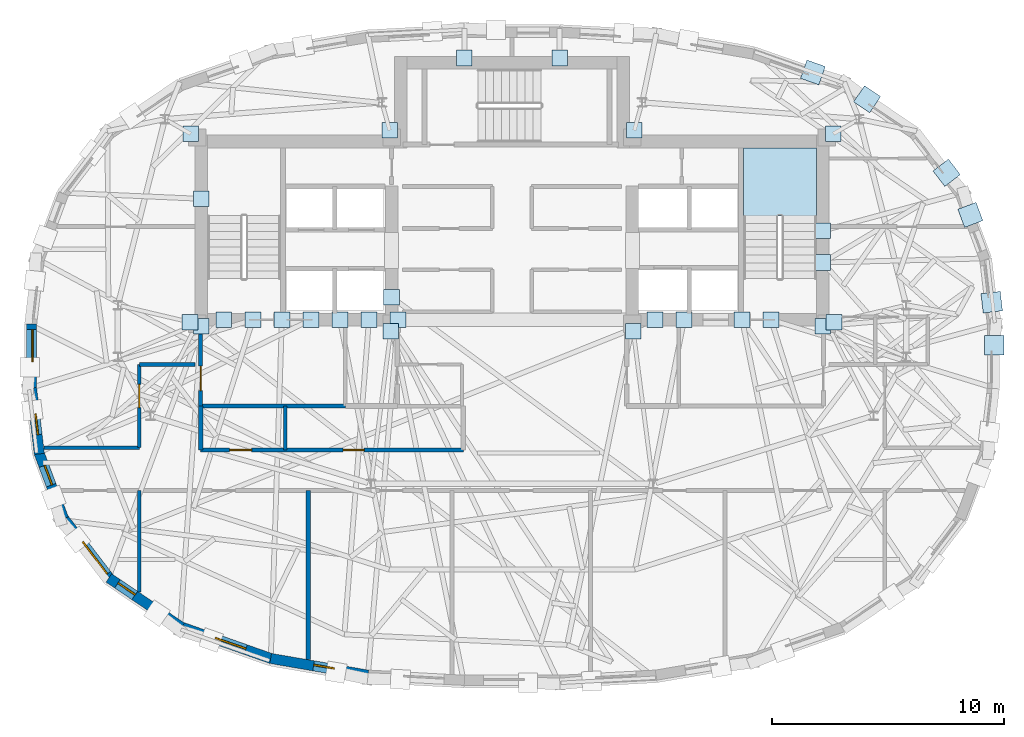
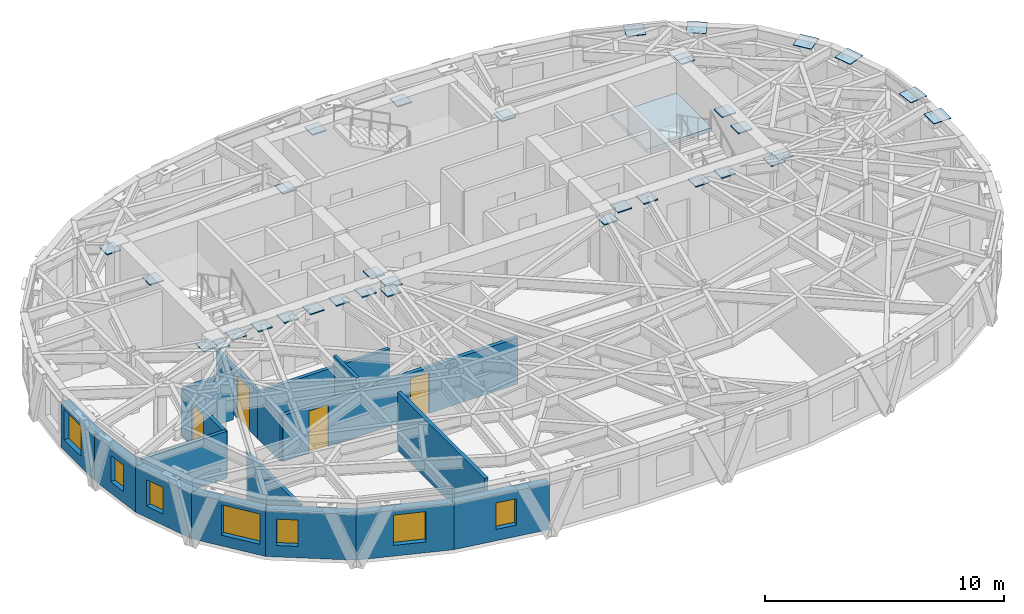
# One storey, part 5 of 12: 33 plates, 17 walls, 7 windows, 4 doors, 1 slab, 11 openings, 1 element without a shape of its own.
"""IFC4 building model written with IfcOpenShell, lengths in metres."""

from ifc_helpers import new_model, si_unit, direction, frame, frame_2d, origin, origin_2d, place, context, subcontext, project, spatial, polyline, rectangle, outline, extrude, material, layer, layer_set, type_object, element, fill, aggregate, save


model = new_model("IFC4")

# Units and contexts
model_context = context("Model", 3, precision=1e-05, world=origin(), true_north=direction((0.0, 1.0)))
body_context = subcontext(model_context, "Body", "Model", "MODEL_VIEW")
ifc_project = project(units=[si_unit("LENGTHUNIT", "METRE"), si_unit("AREAUNIT", "SQUARE_METRE"), si_unit("VOLUMEUNIT", "CUBIC_METRE"), si_unit("PLANEANGLEUNIT", "RADIAN"), si_unit("MASSUNIT", "GRAM", prefix="KILO")], contexts=[model_context])

# Site, building, storey
site_placement = place(None, origin())
site = spatial("IfcSite", under=ifc_project, at=site_placement, CompositionType="ELEMENT")
building_placement = place(site_placement, origin())
building = spatial("IfcBuilding", under=site, at=building_placement, Name="Keldmark Tower", CompositionType="ELEMENT")
storey_placement = place(building_placement, frame((0.0, 0.0, 254.10009765625)))
storey = spatial("IfcBuildingStorey", under=building, at=storey_placement, Name="L72", CompositionType="ELEMENT", Elevation=254.10009765625)

# Plates
ifc_material_1 = material(Name="Steel ASTM A572 Grade 50", Category="steel")
ifc_layer_1 = layer(ifc_material_1, 0.06005859375)
ifc_layer_set_1 = layer_set([ifc_layer_1], Name="Steel ASTM A572 Grade 50")
plate_type_1 = type_object("IfcPlateType", Name="Belt Truss Kink Node Assembly KN01 60 mm", PredefinedType="USERDEFINED", material=ifc_layer_set_1)
for number, where, z_axis, x_axis, name in (
    (1, (13.91162109375, 1.473388671875, 2.677734375), (0.0, 0.0, 1.0), (1.0, 0.0, 0.0), "L72 Core Wall Cast-In Embed Plate 2084"),
    (2, (13.878173828125, 9.608154296875, 2.677734375), (0.0, 0.0, 1.0), (1.0, 0.0, 0.0), "L72 Core Wall Cast-In Embed Plate 2085"),
    (3, (5.28515625, 9.758544921875, 2.677734375), (0.0, 0.0, 1.0), (1.0, 0.0, 0.0), "L72 Core Wall Cast-In Embed Plate 2086"),
    (4, (-5.28515625, 9.758544921875, 2.677734375), (0.0, 0.0, 1.0), (1.0, 0.0, 0.0), "L72 Core Wall Cast-In Embed Plate 2087"),
    (5, (-13.878173828125, 9.608154296875, 2.677734375), (0.0, 0.0, 1.0), (1.0, 0.0, 0.0), "L72 Core Wall Cast-In Embed Plate 2088"),
    (6, (-13.91162109375, 1.473388671875, 2.677734375), (0.0, 0.0, 1.0), (1.0, 0.0, 0.0), "L72 Core Wall Cast-In Embed Plate 2089"),
    (7, (-5.24072265625, 1.08251953125, 2.677734375), (0.0, 0.0, 1.0), (1.0, 0.0, 0.0), "L72 Core Wall Cast-In Embed Plate 2090"),
    (8, (5.24072265625, 1.08251953125, 2.677734375), (0.0, 0.0, 1.0), (1.0, 0.0, 0.0), "L72 Core Wall Cast-In Embed Plate 2091"),
    (9, (2.0576171875, 12.8798828125, 2.673828125), (0.0, 0.0, 1.0), (1.0, 0.0, 0.0), "L72 Core Wall Cast-In Embed Plate 2092"),
    (10, (-2.0576171875, 12.8798828125, 2.673828125), (0.0, 0.0, 1.0), (1.0, 0.0, 0.0), "L72 Core Wall Cast-In Embed Plate 2093"),
    (11, (-11.19287109375, 1.574951171875, 2.673828125), (0.0, 0.0, 1.0), (1.0, 0.0, 0.0), "L72 Core Wall Cast-In Embed Plate 2094"),
    (12, (-7.43212890625, 1.574951171875, 2.673828125), (0.0, 0.0, 1.0), (1.0, 0.0, 0.0), "L72 Core Wall Cast-In Embed Plate 2095"),
    (13, (7.43212890625, 1.574951171875, 2.673828125), (0.0, 0.0, 1.0), (1.0, 0.0, 0.0), "L72 Core Wall Cast-In Embed Plate 2096"),
    (14, (11.19287109375, 1.574951171875, 2.673828125), (0.0, 0.0, 1.0), (1.0, 0.0, 0.0), "L72 Core Wall Cast-In Embed Plate 2097"),
    (15, (6.1787109375, 1.574951171875, 2.673828125), (0.0, 0.0, 1.0), (1.0, 0.0, 0.0), "L72 Core Wall Cast-In Embed Plate 2098"),
    (16, (-6.1787109375, 1.574951171875, 2.673828125), (0.0, 0.0, 1.0), (1.0, 0.0, 0.0), "L72 Core Wall Cast-In Embed Plate 2099"),
    (17, (9.939208984375, 1.574951171875, 2.673828125), (0.0, 0.0, 1.0), (1.0, 0.0, 0.0), "L72 Core Wall Cast-In Embed Plate 2100"),
    (18, (13.425048828125, 4.050048828125, 2.673828125), (0.0, 0.0, 1.0), (1.0, 0.0, 0.0), "L72 Core Wall Cast-In Embed Plate 2101"),
    (19, (13.425048828125, 1.300048828125, 2.673828125), (0.0, 0.0, 1.0), (1.0, 0.0, 0.0), "L72 Core Wall Cast-In Embed Plate 2102"),
    (20, (13.425048828125, 5.425048828125, 2.673828125), (0.0, 0.0, 1.0), (1.0, 0.0, 0.0), "L72 Core Wall Cast-In Embed Plate 2103"),
    (21, (-12.4462890625, 1.574951171875, 2.673828125), (0.0, 0.0, 1.0), (1.0, 0.0, 0.0), "L72 Core Wall Cast-In Embed Plate 2104"),
    (22, (-8.685791015625, 1.574951171875, 2.673828125), (0.0, 0.0, 1.0), (1.0, 0.0, 0.0), "L72 Core Wall Cast-In Embed Plate 2105"),
    (23, (-13.425048828125, 1.300048828125, 2.673828125), (0.0, 0.0, 1.0), (1.0, 0.0, 0.0), "L72 Core Wall Cast-In Embed Plate 2106"),
    (24, (-9.939208984375, 1.574951171875, 2.673828125), (0.0, 0.0, 1.0), (1.0, 0.0, 0.0), "L72 Core Wall Cast-In Embed Plate 2107"),
    (25, (-4.925048828125, 1.574951171875, 2.673828125), (0.0, 0.0, 1.0), (1.0, 0.0, 0.0), "L72 Core Wall Cast-In Embed Plate 2108"),
    (26, (-5.199951171875, 2.550048828125, 2.673828125), (0.0, 0.0, 1.0), (1.0, 0.0, 0.0), "L72 Core Wall Cast-In Embed Plate 2109"),
    (27, (-13.425048828125, 6.800048828125, 2.673828125), (0.0, 0.0, 1.0), (1.0, 0.0, 0.0), "L72 Core Wall Cast-In Embed Plate 2110"),
):
    element("IfcPlate", number, at=place(storey_placement, frame(where, z_axis=z_axis, x_axis=x_axis)), inside=storey, type_object=plate_type_1, Name=name, ObjectType="CAP PLATE", PredefinedType="USERDEFINED", context=body_context, shape_type="SweptSolid", body=[
        extrude(rectangle(XDim=0.679931640625, YDim=0.679931640625, at=origin_2d()), origin(), (0.0, 0.0, 1.0), 0.054931640625),
    ])
ifc_material_2 = material(Name="Steel ASTM A572 Grade 50", Category="steel")
ifc_layer_2 = layer(ifc_material_2, 0.034912109375)
ifc_layer_set_2 = layer_set([ifc_layer_2], Name="Steel ASTM A572 Grade 50")
plate_type_2 = type_object("IfcPlateType", Name="Diagrid Node Assembly DN06 35 mm", PredefinedType="USERDEFINED", material=ifc_layer_set_2)
for number, where, z_axis, x_axis, name in (
    (28, (20.7216796875, 2.333740234375, 2.83251953125), (0.0, 0.0, 1.0), (-0.1168440763, 0.993150271527, 0.0), "L72 Diagrid Node Assembly 01"),
    (29, (19.798095703125, 6.10400390625, 2.83251953125), (0.0, 0.0, 1.0), (-0.349716892865, 0.936855428999, 0.0), "L72 Diagrid Node Assembly 02"),
    (30, (18.7744140625, 7.924560546875, 2.83251953125), (0.0, 0.0, 1.0), (-0.607237178966, 0.794520615517, 0.0), "L72 Diagrid Node Assembly 03"),
    (31, (15.33984375, 11.101806640625, 2.83251953125), (0.0, 0.0, 1.0), (-0.827668733006, 0.561216953062, 0.0), "L72 Diagrid Node Assembly 04"),
    (32, (12.997802734375, 12.260009765625, 2.83251953125), (0.0, 0.0, 1.0), (-0.943454320287, 0.331502557353, 0.0), "L72 Diagrid Node Assembly 05"),
    (33, (20.832275390625, 0.470947265625, 2.83251953125), (0.0, 0.0, 1.0), (0.0, 1.0, 0.0), "L72 Diagrid Node Assembly 32"),
):
    element("IfcPlate", number, at=place(storey_placement, frame(where, z_axis=z_axis, x_axis=x_axis)), inside=storey, type_object=plate_type_2, Name=name, ObjectType="GUSSET", PredefinedType="USERDEFINED", context=body_context, shape_type="SweptSolid", body=[
        extrude(rectangle(XDim=0.840087890625, YDim=0.840087890625, at=origin_2d()), origin(), (0.0, 0.0, 1.0), 0.034912109375),
    ])

# Stair, slab
ifc_material_3 = material(Name="Concrete C40/50", Category="concrete")
stair_type = type_object("IfcStairType", Name="Precast Concrete Core Exit Stair", PredefinedType="HALF_TURN_STAIR", material=ifc_material_3)
stair_placement = place(storey_placement, origin())
stair = element("IfcStair", 34, at=stair_placement, inside=storey, type_object=stair_type, Name="L72 Exit Stair ST2", PredefinedType="HALF_TURN_STAIR")
ifc_material_4 = material(Name="Concrete C40/50", Category="concrete")
ifc_layer_3 = layer(ifc_material_4, 0.199951171875)
ifc_layer_set_3 = layer_set([ifc_layer_3], Name="Concrete C40/50")
slab_type = type_object("IfcSlabType", Name="Reinforced Concrete Stair Landing 200 mm", PredefinedType="LANDING", material=ifc_layer_set_3)
slab_placement = place(storey_placement, frame((0.0, 0.0, 1.375)))
slab = element("IfcSlab", 35, at=slab_placement, type_object=slab_type, Name="ST2 landing 1", PredefinedType="LANDING", context=body_context, shape_type="SweptSolid", body=[
    extrude(outline(polyline([(13.14990234375, 6.050048828125), (13.14990234375, 9.0), (10.0, 9.0), (10.0, 6.050048828125), (13.14990234375, 6.050048828125)])), origin(), (0.0, 0.0, 1.0), 0.199951171875),
])
aggregate(stair, [slab])

# Wall
ifc_material_5 = material(Name="STC-58 Insulated Tenant Demising Gypsum Partition", Category="gypsum")
ifc_layer_4 = layer(ifc_material_5, 0.175048828125)
ifc_layer_set_4 = layer_set([ifc_layer_4], Name="STC-58 Insulated Tenant Demising Gypsum Partition")
wall_type_1 = type_object("IfcWallType", Name="Demising Suite Partition 175 mm", PredefinedType="PARTITIONING", material=ifc_layer_set_4)
wall_1_placement = place(storey_placement, frame((-8.800048828125, -13.101806640625, 0.0), z_axis=(0.0, 0.0, 1.0), x_axis=(0.0, 1.0, 0.0)))
element("IfcWall", 36, at=wall_1_placement, inside=storey, type_object=wall_type_1, Name="L72 Demising Suite Partition 175 mm RS-T5-D1", PredefinedType="PARTITIONING", context=body_context, shape_type="SweptSolid", body=[
    extrude(rectangle(XDim=7.3017578125, YDim=0.175048828125, at=frame_2d((3.65087890625, 0.0))), origin(), (0.0, 0.0, 1.0), 2.969970703125),
])

# Wall, openings, doors
ifc_material_6 = material(Name="Heavy Acoustic Plumbing Chase Gypsum Assembly", Category="gypsum")
ifc_layer_5 = layer(ifc_material_6, 0.18994140625)
ifc_layer_set_5 = layer_set([ifc_layer_5], Name="Heavy Acoustic Plumbing Chase Gypsum Assembly")
wall_type_2 = type_object("IfcWallType", Name="Heavy Wet Wall 190 mm", PredefinedType="PLUMBINGWALL", material=ifc_layer_set_5)
wall_2_placement = place(storey_placement, frame((-13.449951171875, -4.050048828125, 0.0), z_axis=(0.0, 0.0, 1.0), x_axis=(1.0, 0.0, 0.0)))
wall_2 = element("IfcWall", 37, at=wall_2_placement, inside=storey, type_object=wall_type_2, Name="L72 Heavy Wet Wall 190 mm SPK-W-S", PredefinedType="PLUMBINGWALL", context=body_context, shape_type="SweptSolid", body=[
    extrude(rectangle(XDim=11.349853515625, YDim=0.18994140625, at=frame_2d((5.6748046875, 0.0))), origin(), (0.0, 0.0, 1.0), 2.35693359375),
])
opening_1_placement = place(wall_2_placement, frame((1.25, 0.0, 0.0)))
opening_1 = element("IfcOpeningElement", 38, at=opening_1_placement, cuts=wall_2, Name="Opening D-AWC95", PredefinedType="OPENING", context=body_context, shape_type="SweptSolid", body=[
    extrude(rectangle(XDim=0.949951171875, YDim=2.14990234375, at=frame_2d((0.47509765625, 1.074951171875))), frame((0.0, 0.10498046875, 0.0), z_axis=(0.0, -1.0, 0.0), x_axis=(1.0, 0.0, 0.0)), (0.0, 0.0, 1.0), 0.2099609375),
])
opening_2_placement = place(wall_2_placement, frame((6.159912109375, 0.0, 0.0)))
opening_2 = element("IfcOpeningElement", 39, at=opening_2_placement, cuts=wall_2, Name="Opening D-IN090", PredefinedType="OPENING", context=body_context, shape_type="SweptSolid", body=[
    extrude(rectangle(XDim=0.89990234375, YDim=2.10009765625, at=frame_2d((0.449951171875, 1.050048828125))), frame((0.0, 0.10498046875, 0.0), z_axis=(0.0, -1.0, 0.0), x_axis=(1.0, 0.0, 0.0)), (0.0, 0.0, 1.0), 0.2099609375),
])
ifc_material_7 = material(Name="Painted Solid-Core Architectural Wood", Category="wood")
door_type_1 = type_object("IfcDoorType", Name="Accessible WC Door 950x2150", OperationType="NOTDEFINED", PredefinedType="DOOR", material=ifc_material_7)
door_1_placement = place(opening_1_placement, origin())
door_1 = element("IfcDoor", 40, at=door_1_placement, inside=storey, type_object=door_type_1, Name="L72 Accessible WC Door 950x2150 D-SPKW1-L72", OperationType="SINGLE_SWING_LEFT", OverallHeight=2.14990234375, OverallWidth=0.949951171875, PredefinedType="DOOR", context=body_context, shape_type="SweptSolid", body=[
    extrude(rectangle(XDim=0.949951171875, YDim=2.14990234375, at=frame_2d((0.47509765625, 1.074951171875))), frame((0.0, 0.02490234375, 0.0), z_axis=(0.0, -1.0, 0.0), x_axis=(1.0, 0.0, 0.0)), (0.0, 0.0, 1.0), 0.050048828125),
])
fill(opening_1, door_1)
ifc_material_8 = material(Name="Stained American White Oak Veneer", Category="wood")
door_type_2 = type_object("IfcDoorType", Name="Interior Door 900x2100", OperationType="NOTDEFINED", PredefinedType="DOOR", material=ifc_material_8)
door_2_placement = place(opening_2_placement, origin())
door_2 = element("IfcDoor", 41, at=door_2_placement, inside=storey, type_object=door_type_2, Name="L72 Interior Door 900x2100 D-SPKW2-L72", OperationType="SINGLE_SWING_RIGHT", OverallHeight=2.10009765625, OverallWidth=0.89990234375, PredefinedType="DOOR", context=body_context, shape_type="SweptSolid", body=[
    extrude(rectangle(XDim=0.89990234375, YDim=2.10009765625, at=frame_2d((0.449951171875, 1.050048828125))), frame((0.0, 0.02490234375, 0.0), z_axis=(0.0, -1.0, 0.0), x_axis=(1.0, 0.0, 0.0)), (0.0, 0.0, 1.0), 0.050048828125),
])
fill(opening_2, door_2)

# Walls
wall_3_placement = place(storey_placement, frame((-13.449951171875, -4.050048828125, 0.0), z_axis=(0.0, 0.0, 1.0), x_axis=(0.0, 1.0, 0.0)))
element("IfcWall", 42, at=wall_3_placement, inside=storey, type_object=wall_type_2, Name="L72 Heavy Wet Wall 190 mm SPK-W-W", PredefinedType="PLUMBINGWALL", context=body_context, shape_type="SweptSolid", body=[
    extrude(rectangle(XDim=1.900146484375, YDim=0.18994140625, at=frame_2d((0.9501953125, 0.0))), origin(), (0.0, 0.0, 1.0), 2.4228515625),
])
ifc_material_9 = material(Name="Type X Fire-Rated Gypsum Partition Assembly", Category="gypsum")
ifc_layer_6 = layer(ifc_material_9, 0.1650390625)
ifc_layer_set_6 = layer_set([ifc_layer_6], Name="Type X Fire-Rated Gypsum Partition Assembly")
wall_type_3 = type_object("IfcWallType", Name="Rated Partition 165 mm", PredefinedType="PARTITIONING", material=ifc_layer_set_6)
wall_4_placement = place(storey_placement, frame((-13.449951171875, -2.14990234375, 0.0), z_axis=(0.0, 0.0, 1.0), x_axis=(1.0, 0.0, 0.0)))
element("IfcWall", 43, at=wall_4_placement, inside=storey, type_object=wall_type_3, Name="L72 Rated Partition 165 mm FSAE-W-S", PredefinedType="PARTITIONING", context=body_context, shape_type="SweptSolid", body=[
    extrude(rectangle(XDim=6.25, YDim=0.1650390625, at=frame_2d((3.125, 0.0))), origin(), (0.0, 0.0, 1.0), 2.4228515625),
])

# Wall, opening, door
wall_5_placement = place(storey_placement, frame((-13.449951171875, -2.14990234375, 0.0), z_axis=(0.0, 0.0, 1.0), x_axis=(0.0, 1.0, 0.0)))
wall_5 = element("IfcWall", 44, at=wall_5_placement, inside=storey, type_object=wall_type_3, Name="L72 Rated Partition 165 mm FSAE-W-W", PredefinedType="PARTITIONING", context=body_context, shape_type="SweptSolid", body=[
    extrude(rectangle(XDim=3.5, YDim=0.1650390625, at=frame_2d((1.75, 0.0))), origin(), (0.0, 0.0, 1.0), 2.4228515625),
])
opening_3_placement = place(wall_5_placement, frame((0.669921875, 0.0, 0.0)))
opening_3 = element("IfcOpeningElement", 45, at=opening_3_placement, cuts=wall_5, Name="Opening D-FL105", PredefinedType="OPENING", context=body_context, shape_type="SweptSolid", body=[
    extrude(rectangle(XDim=1.050048828125, YDim=2.14990234375, at=frame_2d((0.52490234375, 1.074951171875))), frame((0.0, 0.092529296875, 0.0), z_axis=(0.0, -1.0, 0.0), x_axis=(1.0, 0.0, 0.0)), (0.0, 0.0, 1.0), 0.18505859375),
])
ifc_material_10 = material(Name="Fire-Rated Mineral-Core Door and Vision Lite", Category="metal")
door_type_3 = type_object("IfcDoorType", Name="Fire Lobby Door 1050x2150", OperationType="NOTDEFINED", PredefinedType="DOOR", material=ifc_material_10)
door_3_placement = place(opening_3_placement, origin())
door_3 = element("IfcDoor", 46, at=door_3_placement, inside=storey, type_object=door_type_3, Name="L72 Fire Lobby Door 1050x2150 D-FSAEW-OUT-L72", OperationType="SINGLE_SWING_LEFT", OverallHeight=2.14990234375, OverallWidth=1.050048828125, PredefinedType="DOOR", context=body_context, shape_type="SweptSolid", body=[
    extrude(rectangle(XDim=1.050048828125, YDim=2.14990234375, at=frame_2d((0.52490234375, 1.074951171875))), frame((0.0, 0.02490234375, 0.0), z_axis=(0.0, -1.0, 0.0), x_axis=(1.0, 0.0, 0.0)), (0.0, 0.0, 1.0), 0.050048828125),
])
fill(opening_3, door_3)

# Wall
wall_6_placement = place(storey_placement, frame((-20.220458984375, -3.949951171875, 0.0), z_axis=(0.0, 0.0, 1.0), x_axis=(1.0, 0.0, 0.0)))
element("IfcWall", 47, at=wall_6_placement, inside=storey, type_object=wall_type_3, Name="L72 Rated Partition 165 mm RCOR-WN-OUT", PredefinedType="PARTITIONING", context=body_context, shape_type="SweptSolid", body=[
    extrude(rectangle(XDim=4.120361328125, YDim=0.1650390625, at=frame_2d((2.06005859375, 0.0))), origin(), (0.0, 0.0, 1.0), 2.4228515625),
])

# Wall, opening, door
wall_7_placement = place(storey_placement, frame((-16.10009765625, -3.949951171875, 0.0), z_axis=(0.0, 0.0, 1.0), x_axis=(0.0, 1.0, 0.0)))
wall_7 = element("IfcWall", 48, at=wall_7_placement, inside=storey, type_object=wall_type_3, Name="L72 Rated Partition 165 mm RCOR-VW", PredefinedType="PARTITIONING", context=body_context, shape_type="SweptSolid", body=[
    extrude(rectangle(XDim=3.599853515625, YDim=0.1650390625, at=frame_2d((1.7998046875, 0.0))), origin(), (0.0, 0.0, 1.0), 2.35693359375),
])
opening_4_placement = place(wall_7_placement, frame((1.72998046875, 0.0, 0.0)))
opening_4 = element("IfcOpeningElement", 49, at=opening_4_placement, cuts=wall_7, Name="Opening D-FD100", PredefinedType="OPENING", context=body_context, shape_type="SweptSolid", body=[
    extrude(rectangle(XDim=1.0, YDim=2.14990234375, at=frame_2d((0.5, 1.074951171875))), frame((0.0, 0.092529296875, 0.0), z_axis=(0.0, -1.0, 0.0), x_axis=(1.0, 0.0, 0.0)), (0.0, 0.0, 1.0), 0.18505859375),
])
ifc_material_11 = material(Name="Hollow Metal Fire-Rated Corridor Door", Category="metal")
door_type_4 = type_object("IfcDoorType", Name="Fire Door 1000x2150", OperationType="NOTDEFINED", PredefinedType="DOOR", material=ifc_material_11)
door_4_placement = place(opening_4_placement, origin())
door_4 = element("IfcDoor", 50, at=door_4_placement, inside=storey, type_object=door_type_4, Name="L72 Fire Door 1000x2150 D-RWM1-L72", OperationType="SINGLE_SWING_RIGHT", OverallHeight=2.14990234375, OverallWidth=1.0, PredefinedType="DOOR", context=body_context, shape_type="SweptSolid", body=[
    extrude(rectangle(XDim=1.0, YDim=2.14990234375, at=frame_2d((0.5, 1.074951171875))), frame((0.0, 0.02490234375, 0.0), z_axis=(0.0, -1.0, 0.0), x_axis=(1.0, 0.0, 0.0)), (0.0, 0.0, 1.0), 0.050048828125),
])
fill(opening_4, door_4)

# Walls
wall_8_placement = place(storey_placement, frame((-16.10009765625, -0.35009765625, 0.0), z_axis=(0.0, 0.0, 1.0), x_axis=(1.0, 0.0, 0.0)))
element("IfcWall", 51, at=wall_8_placement, inside=storey, type_object=wall_type_3, Name="L72 Rated Partition 165 mm RCOR-VWN", PredefinedType="PARTITIONING", context=body_context, shape_type="SweptSolid", body=[
    extrude(rectangle(XDim=2.400146484375, YDim=0.1650390625, at=frame_2d((1.2001953125, 0.0))), origin(), (0.0, 0.0, 1.0), 2.4228515625),
])
wall_9_placement = place(storey_placement, frame((-16.10009765625, -10.191162109375, 0.0), z_axis=(0.0, 0.0, 1.0), x_axis=(0.0, 1.0, 0.0)))
element("IfcWall", 52, at=wall_9_placement, inside=storey, type_object=wall_type_3, Name="L72 Rated Partition 165 mm RS-WCAP", PredefinedType="PARTITIONING", context=body_context, shape_type="SweptSolid", body=[
    extrude(rectangle(XDim=4.39111328125, YDim=0.1650390625, at=frame_2d((2.195556640625, 0.0))), origin(), (0.0, 0.0, 1.0), 2.4228515625),
])

# Wall, opening, window
ifc_material_12 = material(Name="Ironspot Manganese Brick and Kasota Buff Limestone Spandrel Assembly", Category="masonry")
ifc_layer_7 = layer(ifc_material_12, 0.43994140625)
ifc_layer_set_7 = layer_set([ifc_layer_7], Name="Ironspot Manganese Brick and Kasota Buff Limestone Spandrel Assembly")
wall_type_4 = type_object("IfcWallType", Name="Tower Brick Pier and Spandrel Wall 440 mm", PredefinedType="STANDARD", material=ifc_layer_set_7)
wall_10_placement = place(storey_placement, frame((-20.751708984375, -1.400390625, 0.0), z_axis=(0.0, 0.0, 1.0), x_axis=(0.0, 1.0, 0.0)))
wall_10 = element("IfcWall", 53, at=wall_10_placement, inside=storey, type_object=wall_type_4, Name="L72 Exterior Brick and Spandrel Wall 16", PredefinedType="STANDARD", context=body_context, shape_type="SweptSolid", body=[
    extrude(rectangle(XDim=2.80078125, YDim=0.43994140625, at=frame_2d((1.400390625, 0.0))), origin(), (0.0, 0.0, 1.0), 2.3359375),
])
opening_5_placement = place(wall_10_placement, frame((1.153076171875, 0.0, 0.550048828125)))
opening_5 = element("IfcOpeningElement", 54, at=opening_5_placement, cuts=wall_10, Name="Opening W-08", PredefinedType="OPENING", context=body_context, shape_type="SweptSolid", body=[
    extrude(rectangle(XDim=1.39990234375, YDim=1.550048828125, at=frame_2d((0.699951171875, 0.77490234375))), frame((0.0, 0.22998046875, 0.0), z_axis=(0.0, -1.0, 0.0), x_axis=(1.0, 0.0, 0.0)), (0.0, 0.0, 1.0), 0.4599609375),
])
ifc_material_13 = material(Name="Thermally Broken Anodized Aluminum and Triple Low-E Argon Glazing", Category="aluminium")
window_type_1 = type_object("IfcWindowType", Name="Residential Corner Punched Window 1400x1550", PartitioningType="SINGLE_PANEL", PredefinedType="WINDOW", material=ifc_material_13)
window_1_placement = place(opening_5_placement, origin())
window_1 = element("IfcWindow", 55, at=window_1_placement, inside=storey, type_object=window_type_1, Name="L72 Deep-Set Window 16", OverallHeight=1.550048828125, OverallWidth=1.39990234375, PartitioningType="SINGLE_PANEL", PredefinedType="WINDOW", context=body_context, shape_type="SweptSolid", body=[
    extrude(rectangle(XDim=1.39990234375, YDim=1.550048828125, at=frame_2d((0.699951171875, 0.77490234375))), frame((0.0, -0.010009765625, 0.0), z_axis=(0.0, -1.0, 0.0), x_axis=(1.0, 0.0, 0.0)), (0.0, 0.0, 1.0), 0.06005859375),
])
fill(opening_5, window_1)

wall_11_placement = place(storey_placement, frame((-20.41845703125, -4.21875, 0.0), z_axis=(0.0, 0.0, 1.0), x_axis=(-0.116885766715, 0.993145365764, 0.0)))
wall_11 = element("IfcWall", 56, at=wall_11_placement, inside=storey, type_object=wall_type_4, Name="L72 Exterior Brick and Spandrel Wall 17", PredefinedType="STANDARD", context=body_context, shape_type="SweptSolid", body=[
    extrude(rectangle(XDim=2.863525390625, YDim=0.43994140625, at=frame_2d((1.431640625, 0.0))), origin(), (0.0, 0.0, 1.0), 2.3359375),
])
opening_6_placement = place(wall_11_placement, frame((0.835205078125, 0.0, 0.580078125)))
opening_6 = element("IfcOpeningElement", 57, at=opening_6_placement, cuts=wall_11, Name="Opening W-09", PredefinedType="OPENING", context=body_context, shape_type="SweptSolid", body=[
    extrude(rectangle(XDim=0.89990234375, YDim=1.35009765625, at=frame_2d((0.449951171875, 0.675048828125))), frame((0.0, 0.22998046875, 0.0), z_axis=(0.0, -1.0, 0.0), x_axis=(1.0, 0.0, 0.0)), (0.0, 0.0, 1.0), 0.4599609375),
])
ifc_material_14 = material(Name="Thermally Broken Anodized Aluminum and Triple Low-E Argon Glazing", Category="aluminium")
window_type_2 = type_object("IfcWindowType", Name="Corner Pier Deep-Set Window 900x1350", PartitioningType="SINGLE_PANEL", PredefinedType="WINDOW", material=ifc_material_14)
window_2_placement = place(opening_6_placement, origin())
window_2 = element("IfcWindow", 58, at=window_2_placement, inside=storey, type_object=window_type_2, Name="L72 Deep-Set Window 17", OverallHeight=1.35009765625, OverallWidth=0.89990234375, PartitioningType="SINGLE_PANEL", PredefinedType="WINDOW", context=body_context, shape_type="SweptSolid", body=[
    extrude(rectangle(XDim=0.89990234375, YDim=1.35009765625, at=frame_2d((0.449951171875, 0.675048828125))), frame((0.0, -0.010009765625, 0.0), z_axis=(0.0, -1.0, 0.0), x_axis=(1.0, 0.0, 0.0)), (0.0, 0.0, 1.0), 0.06005859375),
])
fill(opening_6, window_2)

wall_12_placement = place(storey_placement, frame((-19.36767578125, -7.0166015625, 0.0), z_axis=(0.0, 0.0, 1.0), x_axis=(-0.349627332297, 0.936888856007, 0.0)))
wall_12 = element("IfcWall", 59, at=wall_12_placement, inside=storey, type_object=wall_type_4, Name="L72 Exterior Brick and Spandrel Wall 18", PredefinedType="STANDARD", context=body_context, shape_type="SweptSolid", body=[
    extrude(rectangle(XDim=3.041015625, YDim=0.43994140625, at=frame_2d((1.5205078125, 0.0))), origin(), (0.0, 0.0, 1.0), 2.3359375),
])
opening_7_placement = place(wall_12_placement, frame((1.543212890625, 0.0, 0.580078125)))
opening_7 = element("IfcOpeningElement", 60, at=opening_7_placement, cuts=wall_12, Name="Opening W-09", PredefinedType="OPENING", context=body_context, shape_type="SweptSolid", body=[
    extrude(rectangle(XDim=0.89990234375, YDim=1.35009765625, at=frame_2d((0.449951171875, 0.675048828125))), frame((0.0, 0.22998046875, 0.0), z_axis=(0.0, -1.0, 0.0), x_axis=(1.0, 0.0, 0.0)), (0.0, 0.0, 1.0), 0.4599609375),
])
window_3_placement = place(opening_7_placement, origin())
window_3 = element("IfcWindow", 61, at=window_3_placement, inside=storey, type_object=window_type_2, Name="L72 Deep-Set Window 18", OverallHeight=1.35009765625, OverallWidth=0.89990234375, PartitioningType="SINGLE_PANEL", PredefinedType="WINDOW", context=body_context, shape_type="SweptSolid", body=[
    extrude(rectangle(XDim=0.89990234375, YDim=1.35009765625, at=frame_2d((0.449951171875, 0.675048828125))), frame((0.0, -0.010009765625, 0.0), z_axis=(0.0, -1.0, 0.0), x_axis=(1.0, 0.0, 0.0)), (0.0, 0.0, 1.0), 0.06005859375),
])
fill(opening_7, window_3)

wall_13_placement = place(storey_placement, frame((-17.3623046875, -9.62451171875, 0.0), z_axis=(0.0, 0.0, 1.0), x_axis=(-0.607266352304, 0.794498318034, 0.0)))
wall_13 = element("IfcWall", 62, at=wall_13_placement, inside=storey, type_object=wall_type_4, Name="L72 Exterior Brick and Spandrel Wall 19", PredefinedType="STANDARD", context=body_context, shape_type="SweptSolid", body=[
    extrude(rectangle(XDim=3.353759765625, YDim=0.43994140625, at=frame_2d((1.6767578125, 0.0))), origin(), (0.0, 0.0, 1.0), 2.3359375),
])
opening_8_placement = place(wall_13_placement, frame((0.248046875, 0.0, 0.550048828125)))
opening_8 = element("IfcOpeningElement", 63, at=opening_8_placement, cuts=wall_13, Name="Opening W-05", PredefinedType="OPENING", context=body_context, shape_type="SweptSolid", body=[
    extrude(rectangle(XDim=1.75, YDim=1.550048828125, at=frame_2d((0.875, 0.77490234375))), frame((0.0, 0.22998046875, 0.0), z_axis=(0.0, -1.0, 0.0), x_axis=(1.0, 0.0, 0.0)), (0.0, 0.0, 1.0), 0.4599609375),
])
ifc_material_15 = material(Name="Thermally Broken Anodized Aluminum and Triple Low-E Argon Glazing", Category="aluminium")
window_type_3 = type_object("IfcWindowType", Name="Residential Deep-Set Window 1750x1550", PartitioningType="DOUBLE_PANEL_VERTICAL", PredefinedType="WINDOW", material=ifc_material_15)
window_4_placement = place(opening_8_placement, origin())
window_4 = element("IfcWindow", 64, at=window_4_placement, inside=storey, type_object=window_type_3, Name="L72 Deep-Set Window 19", OverallHeight=1.550048828125, OverallWidth=1.75, PartitioningType="SINGLE_PANEL", PredefinedType="WINDOW", context=body_context, shape_type="SweptSolid", body=[
    extrude(rectangle(XDim=1.75, YDim=1.550048828125, at=frame_2d((0.875, 0.77490234375))), frame((0.0, -0.010009765625, 0.0), z_axis=(0.0, -1.0, 0.0), x_axis=(1.0, 0.0, 0.0)), (0.0, 0.0, 1.0), 0.06005859375),
])
fill(opening_8, window_4)

wall_14_placement = place(storey_placement, frame((-14.268798828125, -11.708251953125, 0.0), z_axis=(0.0, 0.0, 1.0), x_axis=(-0.827695346596, 0.561177702001, 0.0)))
wall_14 = element("IfcWall", 65, at=wall_14_placement, inside=storey, type_object=wall_type_4, Name="L72 Exterior Brick and Spandrel Wall 20", PredefinedType="STANDARD", context=body_context, shape_type="SweptSolid", body=[
    extrude(rectangle(XDim=3.7998046875, YDim=0.43994140625, at=frame_2d((1.89990234375, 0.0))), origin(), (0.0, 0.0, 1.0), 2.3359375),
])
opening_9_placement = place(wall_14_placement, frame((2.449462890625, 0.0, 0.580078125)))
opening_9 = element("IfcOpeningElement", 66, at=opening_9_placement, cuts=wall_14, Name="Opening W-09", PredefinedType="OPENING", context=body_context, shape_type="SweptSolid", body=[
    extrude(rectangle(XDim=0.89990234375, YDim=1.35009765625, at=frame_2d((0.449951171875, 0.675048828125))), frame((0.0, 0.22998046875, 0.0), z_axis=(0.0, -1.0, 0.0), x_axis=(1.0, 0.0, 0.0)), (0.0, 0.0, 1.0), 0.4599609375),
])
window_5_placement = place(opening_9_placement, origin())
window_5 = element("IfcWindow", 67, at=window_5_placement, inside=storey, type_object=window_type_2, Name="L72 Deep-Set Window 20", OverallHeight=1.35009765625, OverallWidth=0.89990234375, PartitioningType="SINGLE_PANEL", PredefinedType="WINDOW", context=body_context, shape_type="SweptSolid", body=[
    extrude(rectangle(XDim=0.89990234375, YDim=1.35009765625, at=frame_2d((0.449951171875, 0.675048828125))), frame((0.0, -0.010009765625, 0.0), z_axis=(0.0, -1.0, 0.0), x_axis=(1.0, 0.0, 0.0)), (0.0, 0.0, 1.0), 0.06005859375),
])
fill(opening_9, window_5)

wall_15_placement = place(storey_placement, frame((-10.389404296875, -13.0634765625, 0.0), z_axis=(0.0, 0.0, 1.0), x_axis=(-0.943461130408, 0.331483175152, 0.0)))
wall_15 = element("IfcWall", 68, at=wall_15_placement, inside=storey, type_object=wall_type_4, Name="L72 Exterior Brick and Spandrel Wall 21", PredefinedType="STANDARD", context=body_context, shape_type="SweptSolid", body=[
    extrude(rectangle(XDim=4.165771484375, YDim=0.43994140625, at=frame_2d((2.0830078125, 0.0))), origin(), (0.0, 0.0, 1.0), 2.3359375),
])
opening_10_placement = place(wall_15_placement, frame((1.185546875, 0.0, 0.550048828125)))
opening_10 = element("IfcOpeningElement", 69, at=opening_10_placement, cuts=wall_15, Name="Opening W-08", PredefinedType="OPENING", context=body_context, shape_type="SweptSolid", body=[
    extrude(rectangle(XDim=1.39990234375, YDim=1.550048828125, at=frame_2d((0.699951171875, 0.77490234375))), frame((0.0, 0.22998046875, 0.0), z_axis=(0.0, -1.0, 0.0), x_axis=(1.0, 0.0, 0.0)), (0.0, 0.0, 1.0), 0.4599609375),
])
window_6_placement = place(opening_10_placement, origin())
window_6 = element("IfcWindow", 70, at=window_6_placement, inside=storey, type_object=window_type_1, Name="L72 Deep-Set Window 21", OverallHeight=1.550048828125, OverallWidth=1.39990234375, PartitioningType="SINGLE_PANEL", PredefinedType="WINDOW", context=body_context, shape_type="SweptSolid", body=[
    extrude(rectangle(XDim=1.39990234375, YDim=1.550048828125, at=frame_2d((0.699951171875, 0.77490234375))), frame((0.0, -0.010009765625, 0.0), z_axis=(0.0, -1.0, 0.0), x_axis=(1.0, 0.0, 0.0)), (0.0, 0.0, 1.0), 0.06005859375),
])
fill(opening_10, window_6)

wall_16_placement = place(storey_placement, frame((-6.222900390625, -13.775146484375, 0.0), z_axis=(0.0, 0.0, 1.0), x_axis=(-0.985601268854, 0.169086187587, 0.0)))
wall_16 = element("IfcWall", 71, at=wall_16_placement, inside=storey, type_object=wall_type_4, Name="L72 Exterior Brick and Spandrel Wall 22", PredefinedType="STANDARD", context=body_context, shape_type="SweptSolid", body=[
    extrude(rectangle(XDim=4.263671875, YDim=0.43994140625, at=frame_2d((2.1318359375, 0.0))), origin(), (0.0, 0.0, 1.0), 2.3359375),
])
opening_11_placement = place(wall_16_placement, frame((1.484130859375, 0.0, 0.580078125)))
opening_11 = element("IfcOpeningElement", 72, at=opening_11_placement, cuts=wall_16, Name="Opening W-09", PredefinedType="OPENING", context=body_context, shape_type="SweptSolid", body=[
    extrude(rectangle(XDim=0.89990234375, YDim=1.35009765625, at=frame_2d((0.449951171875, 0.675048828125))), frame((0.0, 0.22998046875, 0.0), z_axis=(0.0, -1.0, 0.0), x_axis=(1.0, 0.0, 0.0)), (0.0, 0.0, 1.0), 0.4599609375),
])
window_7_placement = place(opening_11_placement, origin())
window_7 = element("IfcWindow", 73, at=window_7_placement, inside=storey, type_object=window_type_2, Name="L72 Deep-Set Window 22", OverallHeight=1.35009765625, OverallWidth=0.89990234375, PartitioningType="SINGLE_PANEL", PredefinedType="WINDOW", context=body_context, shape_type="SweptSolid", body=[
    extrude(rectangle(XDim=0.89990234375, YDim=1.35009765625, at=frame_2d((0.449951171875, 0.675048828125))), frame((0.0, -0.010009765625, 0.0), z_axis=(0.0, -1.0, 0.0), x_axis=(1.0, 0.0, 0.0)), (0.0, 0.0, 1.0), 0.06005859375),
])
fill(opening_11, window_7)

# Wall
ifc_material_16 = material(Name="Moisture-Resistant Gypsum Plumbing Partition", Category="gypsum")
ifc_layer_8 = layer(ifc_material_16, 0.14990234375)
ifc_layer_set_8 = layer_set([ifc_layer_8], Name="Moisture-Resistant Gypsum Plumbing Partition")
wall_type_5 = type_object("IfcWallType", Name="Wet Wall 150 mm", PredefinedType="PLUMBINGWALL", material=ifc_layer_set_8)
wall_17_placement = place(storey_placement, frame((-9.800048828125, -4.050048828125, 0.0), z_axis=(0.0, 0.0, 1.0), x_axis=(0.0, 1.0, 0.0)))
element("IfcWall", 74, at=wall_17_placement, inside=storey, type_object=wall_type_5, Name="L72 Wet Wall 150 mm SPK-W-D1", PredefinedType="PLUMBINGWALL", context=body_context, shape_type="SweptSolid", body=[
    extrude(rectangle(XDim=1.900146484375, YDim=0.14990234375, at=frame_2d((0.9501953125, 0.0))), origin(), (0.0, 0.0, 1.0), 2.969970703125),
])

save(model, "model.ifc")
